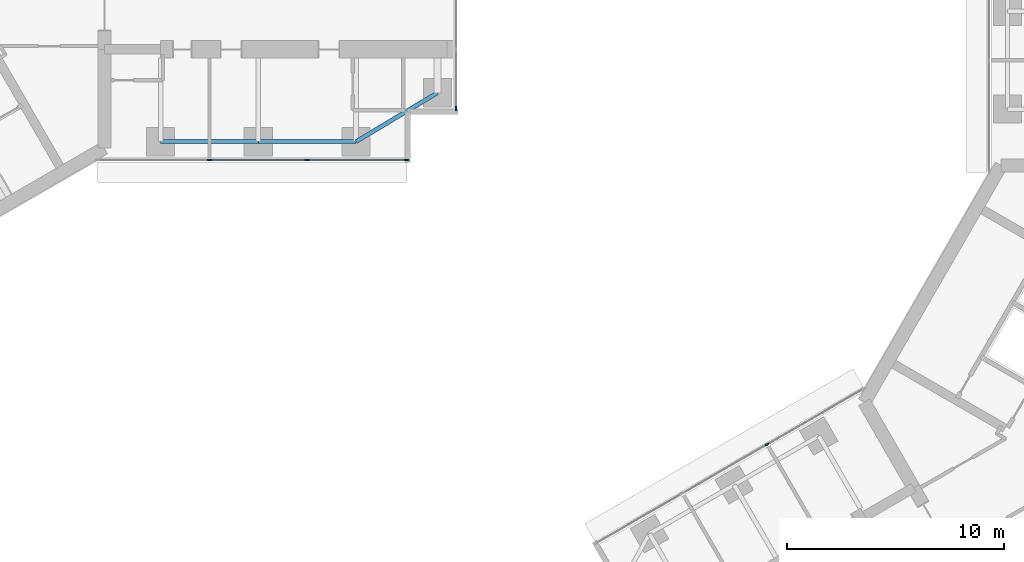
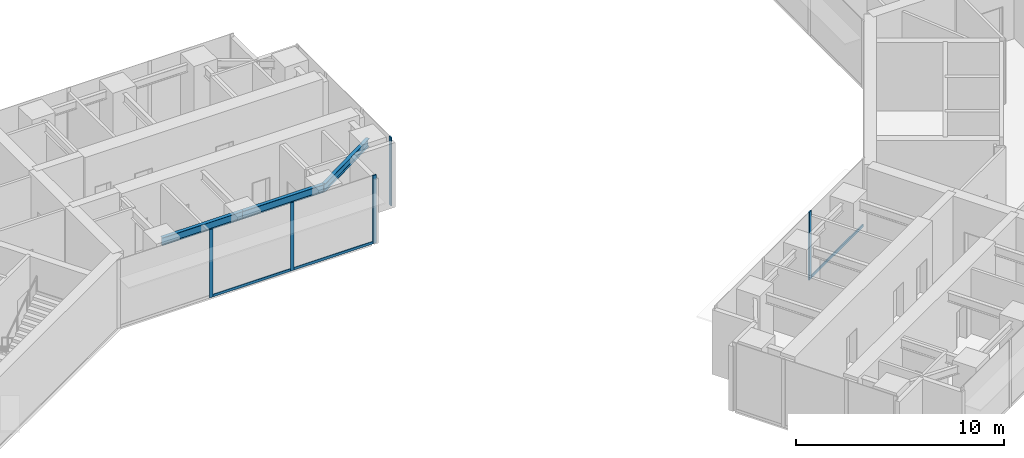
# One storey, part 4 of 22: 8 members, 3 beams, 3 elements without a shape of their own.
"""IFC4 building model written with IfcOpenShell, lengths in metres."""

from ifc_helpers import new_model, si_unit, direction, frame, origin, origin_2d, place, context, subcontext, project, spatial, rectangle, i_section, extrude, material, material_profile, profile_set, type_object, element, aggregate, save


model = new_model("IFC4")

# Units and contexts
model_context = context("Model", 3, precision=1e-05, world=origin(), true_north=direction((0.0, 1.0)))
body_context = subcontext(model_context, "Body", "Model", "MODEL_VIEW")
ifc_project = project(units=[si_unit("LENGTHUNIT", "METRE"), si_unit("AREAUNIT", "SQUARE_METRE"), si_unit("VOLUMEUNIT", "CUBIC_METRE"), si_unit("PLANEANGLEUNIT", "RADIAN"), si_unit("MASSUNIT", "GRAM", prefix="KILO")], contexts=[model_context])

# Site, building, storey
site_placement = place(None, origin())
site = spatial("IfcSite", under=ifc_project, at=site_placement, CompositionType="ELEMENT")
building_placement = place(site_placement, origin())
building = spatial("IfcBuilding", under=site, at=building_placement, Name="Upepo Twin Towers", CompositionType="ELEMENT")
storey_placement = place(building_placement, frame((0.0, 0.0, 129.5)))
storey = spatial("IfcBuildingStorey", under=building, at=storey_placement, Name="L31", CompositionType="ELEMENT", Elevation=129.5)

# Beams
ifc_material_1 = material(Name="Steel S355", Category="steel")
ifc_material_profile_1 = material_profile(ifc_material_1, i_section(OverallWidth=0.1904296875, OverallDepth=0.45703125, WebThickness=0.009033203125, FlangeThickness=0.014404296875, FilletRadius=0.01025390625, at=origin_2d()), Name="UB 457x191x74")
ifc_profile_set_1 = profile_set([ifc_material_profile_1], Name="Steel S355")
beam_type = type_object("IfcBeamType", Name="Beam UB 457x191x74", PredefinedType="BEAM", material=ifc_profile_set_1)
for number, where, z_axis, x_axis, name in (
    (1, (13.5, -6.0, 3.571533203125), (1.0, 0.0, 0.0), (0.0, 1.0, 0.0), "T1 edge beam AR 13.5-18.0"),
    (2, (18.0, -6.0, 3.571533203125), (1.0, 0.0, 0.0), (0.0, 1.0, 0.0), "T1 edge beam AR 18.0-22.5"),
):
    element("IfcBeam", number, at=place(storey_placement, frame(where, z_axis=z_axis, x_axis=x_axis)), inside=storey, type_object=beam_type, Name=name, PredefinedType="BEAM", context=body_context, shape_type="SweptSolid", body=[
        extrude(i_section(OverallWidth=0.1904296875, OverallDepth=0.45703125, WebThickness=0.009033203125, FlangeThickness=0.014404296875, FilletRadius=0.01025390625, at=origin_2d()), origin(), (0.0, 0.0, 1.0), 4.5),
    ])
beam_placement = place(storey_placement, frame((22.5, -6.0, 3.571533203125), z_axis=(0.857492925713, 0.514495755428, 0.0), x_axis=(-0.514495755428, 0.857492925713, 0.0)))
element("IfcBeam", 3, at=beam_placement, inside=storey, type_object=beam_type, Name="T1 nose edge beam AR", PredefinedType="BEAM", context=body_context, shape_type="SweptSolid", body=[
    extrude(i_section(OverallWidth=0.1904296875, OverallDepth=0.45703125, WebThickness=0.009033203125, FlangeThickness=0.014404296875, FilletRadius=0.01025390625, at=origin_2d()), origin(), (0.0, 0.0, 1.0), 4.373291015625),
])

# Curtain wall, members
ifc_material_2 = material(Name="Aluminium and fritted glass", Category="aluminium")
curtain_wall_type = type_object("IfcCurtainWallType", Name="Tower curtain wall TW2, fritted glass", PredefinedType="NOTDEFINED", material=ifc_material_2)
curtain_wall_1_placement = place(storey_placement, origin())
curtain_wall_1 = element("IfcCurtainWall", 4, at=curtain_wall_1_placement, inside=storey, type_object=curtain_wall_type, Name="T1 L31 wing A flank R curtain wall", PredefinedType="NOTDEFINED")
ifc_material_3 = material(Name="Aluminium mullion", Category="aluminium")
ifc_material_profile_2 = material_profile(ifc_material_3, rectangle(XDim=0.06494140625, YDim=0.199951171875, at=origin_2d()), Name="MULLION 65x200")
ifc_profile_set_2 = profile_set([ifc_material_profile_2], Name="Aluminium mullion")
member_type_1 = type_object("IfcMemberType", Name="Mullion 65x200 TW2", PredefinedType="MULLION", material=ifc_profile_set_2)
member_1_placement = place(storey_placement, frame((24.8173828125, -6.85009765625, 0.0), z_axis=(0.0, 0.0, 1.0), x_axis=(0.0, -1.0, 0.0)))
member_1 = element("IfcMember", 5, at=member_1_placement, type_object=member_type_1, Name="T1 L31 wing A flank R curtain wall mullion 1", PredefinedType="MULLION", context=body_context, shape_type="SweptSolid", body=[
    extrude(rectangle(XDim=0.06494140625, YDim=0.199951171875, at=origin_2d()), origin(), (0.0, 0.0, 1.0), 4.0),
])
member_2_placement = place(storey_placement, frame((20.25, -6.85009765625, 0.0), z_axis=(0.0, 0.0, 1.0), x_axis=(0.0, -1.0, 0.0)))
member_2 = element("IfcMember", 6, at=member_2_placement, type_object=member_type_1, Name="T1 L31 wing A flank R curtain wall mullion 2", PredefinedType="MULLION", context=body_context, shape_type="SweptSolid", body=[
    extrude(rectangle(XDim=0.06494140625, YDim=0.199951171875, at=origin_2d()), origin(), (0.0, 0.0, 1.0), 4.0),
])
member_3_placement = place(storey_placement, frame((15.75, -6.85009765625, 0.0), z_axis=(0.0, 0.0, 1.0), x_axis=(0.0, -1.0, 0.0)))
member_3 = element("IfcMember", 7, at=member_3_placement, type_object=member_type_1, Name="T1 L31 wing A flank R curtain wall mullion 3", PredefinedType="MULLION", context=body_context, shape_type="SweptSolid", body=[
    extrude(rectangle(XDim=0.06494140625, YDim=0.199951171875, at=origin_2d()), origin(), (0.0, 0.0, 1.0), 4.0),
])

# Curtain wall, member
curtain_wall_2_placement = place(storey_placement, origin())
curtain_wall_2 = element("IfcCurtainWall", 8, at=curtain_wall_2_placement, inside=storey, type_object=curtain_wall_type, Name="T1 L31 wing A nose curtain wall", PredefinedType="NOTDEFINED")
member_4_placement = place(storey_placement, frame((27.10009765625, -4.467529296875, 0.0), z_axis=(0.0, 0.0, 1.0), x_axis=(-1.0, 0.0, 0.0)))
member_4 = element("IfcMember", 9, at=member_4_placement, type_object=member_type_1, Name="T1 L31 wing A nose curtain wall mullion 1", PredefinedType="MULLION", context=body_context, shape_type="SweptSolid", body=[
    extrude(rectangle(XDim=0.06494140625, YDim=0.199951171875, at=origin_2d()), origin(), (0.0, 0.0, 1.0), 4.0),
])
aggregate(curtain_wall_2, [member_4])

curtain_wall_3_placement = place(storey_placement, origin())
curtain_wall_3 = element("IfcCurtainWall", 10, at=curtain_wall_3_placement, inside=storey, type_object=curtain_wall_type, Name="T2 L31 wing B flank R curtain wall", PredefinedType="NOTDEFINED")
member_5_placement = place(storey_placement, frame((41.43505859375, -19.942626953125, 0.0), z_axis=(0.0, 0.0, 1.0), x_axis=(-0.500000010308, 0.866025397833, 0.0)))
member_5 = element("IfcMember", 11, at=member_5_placement, type_object=member_type_1, Name="T2 L31 wing B flank R curtain wall mullion 3", PredefinedType="MULLION", context=body_context, shape_type="SweptSolid", body=[
    extrude(rectangle(XDim=0.06494140625, YDim=0.199951171875, at=origin_2d()), origin(), (0.0, 0.0, 1.0), 4.0),
])

# Member
ifc_material_4 = material(Name="Aluminium transom", Category="aluminium")
ifc_material_profile_3 = material_profile(ifc_material_4, rectangle(XDim=0.06494140625, YDim=0.14990234375, at=origin_2d()), Name="TRANSOM 65x150")
ifc_profile_set_3 = profile_set([ifc_material_profile_3], Name="Aluminium transom")
member_type_2 = type_object("IfcMemberType", Name="Transom 65x150 TW2", PredefinedType="USERDEFINED", material=ifc_profile_set_3)
member_6_placement = place(storey_placement, frame((24.784912109375, -6.85009765625, 0.074951171875), z_axis=(-1.0, 0.0, 0.0), x_axis=(0.0, -1.0, 0.0)))
member_6 = element("IfcMember", 12, at=member_6_placement, type_object=member_type_2, Name="T1 L31 wing A flank R curtain wall transom 1", ObjectType="TRANSOM", PredefinedType="USERDEFINED", context=body_context, shape_type="SweptSolid", body=[
    extrude(rectangle(XDim=0.06494140625, YDim=0.14990234375, at=origin_2d()), origin(), (0.0, 0.0, 1.0), 4.50244140625),
])

member_7_placement = place(storey_placement, frame((20.217529296875, -6.85009765625, 0.074951171875), z_axis=(-1.0, 0.0, 0.0), x_axis=(0.0, -1.0, 0.0)))
member_7 = element("IfcMember", 13, at=member_7_placement, type_object=member_type_2, Name="T1 L31 wing A flank R curtain wall transom 2", ObjectType="TRANSOM", PredefinedType="USERDEFINED", context=body_context, shape_type="SweptSolid", body=[
    extrude(rectangle(XDim=0.06494140625, YDim=0.14990234375, at=origin_2d()), origin(), (0.0, 0.0, 1.0), 4.43505859375),
])

aggregate(curtain_wall_1, [member_1, member_2, member_3, member_6, member_7])

member_8_placement = place(storey_placement, frame((41.463134765625, -19.926513671875, 0.074951171875), z_axis=(0.866033897268, 0.499985288567, 0.0), x_axis=(-0.499985288567, 0.866033897268, 0.0)))
member_8 = element("IfcMember", 14, at=member_8_placement, type_object=member_type_2, Name="T2 L31 wing B flank R curtain wall transom 3", ObjectType="TRANSOM", PredefinedType="USERDEFINED", context=body_context, shape_type="SweptSolid", body=[
    extrude(rectangle(XDim=0.06494140625, YDim=0.14990234375, at=origin_2d()), origin(), (0.0, 0.0, 1.0), 5.065673828125),
])

aggregate(curtain_wall_3, [member_5, member_8])

save(model, "model.ifc")
